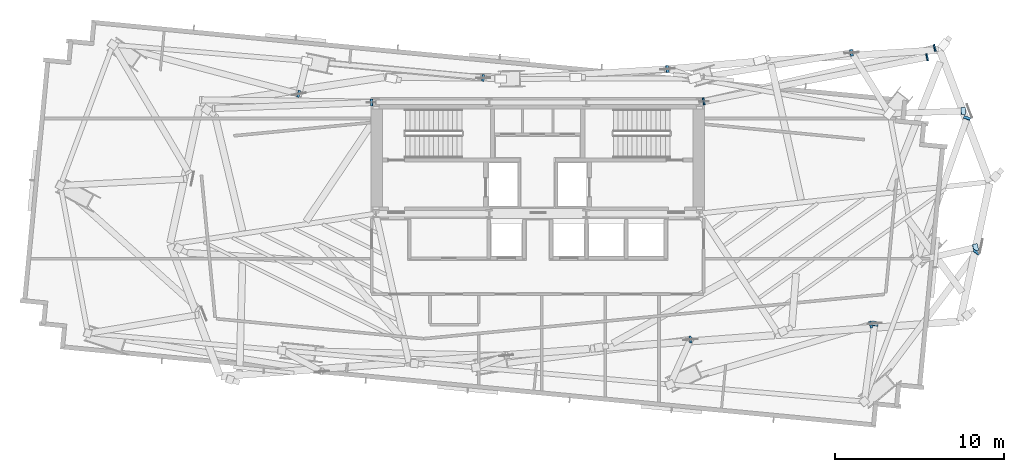
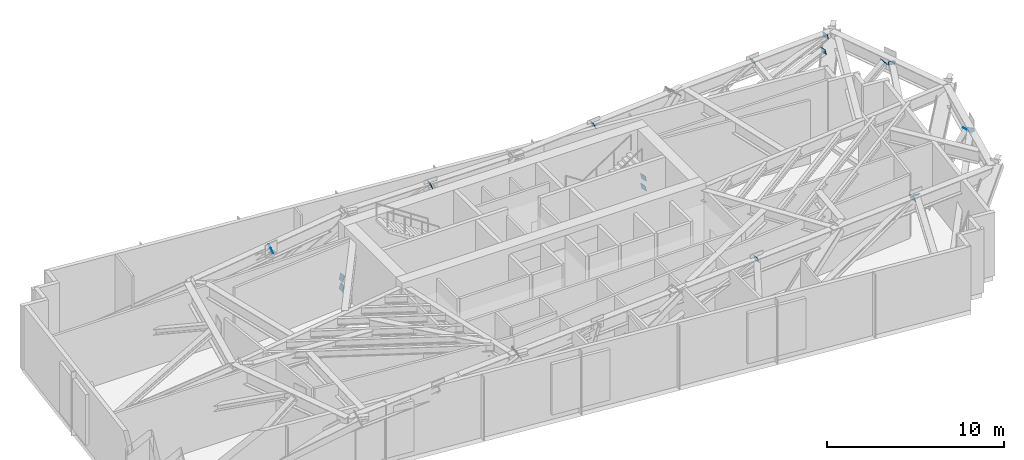
# One storey, part 5 of 10: 17 plates.
"""IFC4 building model written with IfcOpenShell, lengths in metres."""

from ifc_helpers import new_model, si_unit, direction, frame, origin, origin_2d, place, context, subcontext, project, spatial, rectangle, extrude, source, transform, mapped, material, layer, layer_set, type_object, type_shapes, element, save


model = new_model("IFC4")

# Units and contexts
model_context = context("Model", 3, precision=1e-05, world=origin(), true_north=direction((0.0, 1.0)))
body_context = subcontext(model_context, "Body", "Model", "MODEL_VIEW")
ifc_project = project(units=[si_unit("LENGTHUNIT", "METRE"), si_unit("AREAUNIT", "SQUARE_METRE"), si_unit("VOLUMEUNIT", "CUBIC_METRE"), si_unit("PLANEANGLEUNIT", "RADIAN"), si_unit("MASSUNIT", "GRAM", prefix="KILO")], contexts=[model_context])

# Site, building, storey
site_placement = place(None, origin())
site = spatial("IfcSite", under=ifc_project, at=site_placement, CompositionType="ELEMENT")
building_placement = place(site_placement, origin())
building = spatial("IfcBuilding", under=site, at=building_placement, Name="Astriad Promenade Condominiums", CompositionType="ELEMENT")
storey_placement = place(building_placement, frame((0.0, 0.0, 163.0)))
storey = spatial("IfcBuildingStorey", under=building, at=storey_placement, Name="L47", CompositionType="ELEMENT", Elevation=163.0)

# Plates
ifc_material = material(Name="Steel ASTM A572 Grade 50", Category="steel")
ifc_layer = layer(ifc_material, 0.02490234375)
ifc_layer_set = layer_set([ifc_layer], Name="Steel ASTM A572 Grade 50")
plate_type = type_object("IfcPlateType", Name="STEEL HOLLOW SECTION END CAP PLATE 30", PredefinedType="USERDEFINED", material=ifc_layer_set)
shared_shape_1 = source(origin(), body_context, "Body", "SweptSolid", [
    extrude(rectangle(XDim=0.41259765625, YDim=0.40771484375, at=origin_2d()), origin(), (0.0, 0.0, 1.0), 0.02490234375),
])
for number, where, z_axis, x_axis, name in (
    (1, (26.15625, 24.00341796875, 0.31494140625), (-0.955896229764, 0.013605583997, 0.293389307928), (-0.014231885869, -0.999898721584, 0.0), "Hollow Section End Cap Plate BRACE-OUT-L47-01A-A"),
    (2, (26.1572265625, 23.990966796875, 0.99755859375), (-0.952145211224, -0.036259092009, 0.303487685071), (0.038053889996, -0.999275688414, 0.0), "Hollow Section End Cap Plate BRACE-OUT-L47-01B-A"),
    (3, (45.843505859375, 24.048095703125, 0.2978515625), (0.955061591214, 0.189370143042, 0.228026985051), (-0.194494127275, 0.980903682558, 0.0), "Hollow Section End Cap Plate BRACE-OUT-L47-02A-A"),
    (4, (59.092529296875, 26.67529296875, 3.46142578125), (0.955061591214, 0.189370143042, 0.228026985051), (-0.194494127275, 0.980903682558, 0.0), "Hollow Section End Cap Plate BRACE-OUT-L47-02A-B"),
    (5, (45.8427734375, 24.05615234375, 0.97412109375), (0.952061964822, 0.220215320959, 0.21232811296), (-0.225353739937, 0.974277009837, 0.0), "Hollow Section End Cap Plate BRACE-OUT-L47-02B-A"),
    (6, (59.54296875, 27.22509765625, 4.029541015625), (0.952061964822, 0.220215320959, 0.21232811296), (-0.225353739937, 0.974277009837, 0.0), "Hollow Section End Cap Plate BRACE-OUT-L47-02B-B"),
):
    element("IfcPlate", number, at=place(storey_placement, frame(where, z_axis=z_axis, x_axis=x_axis)), inside=storey, type_object=plate_type, Name=name, ObjectType="STIFFENER_PLATE", PredefinedType="USERDEFINED", context=body_context, shape_type="MappedRepresentation", body=[
        mapped(shared_shape_1, transform((0.0, 0.0, 0.0), scale=1.0)),
    ])
shared_shape_2 = source(origin(), body_context, "Body", "SweptSolid", [
    extrude(rectangle(XDim=0.40869140625, YDim=0.39599609375, at=origin_2d()), origin(), (0.0, 0.0, 1.0), 0.02490234375),
])
type_shapes(plate_type, [shared_shape_1, shared_shape_2])
for number, where, z_axis, x_axis, name in (
    (7, (45.044677734375, 9.929931640625, 4.192626953125), (0.945494106538, 0.12286502794, 0.301571018853), (-0.128864479161, 0.991662213665, 0.0), "Hollow Section End Cap Plate BRACE-BELT-L47-03A-B"),
    (8, (55.7392578125, 10.8056640625, 4.114501953125), (0.912640440436, 0.271866879832, 0.305247155811), (-0.285492536029, 0.958380932548, 0.0), "Hollow Section End Cap Plate BRACE-BELT-L47-04A-B"),
    (9, (55.9921875, 10.86328125, 4.183837890625), (0.099752098973, 0.747782154801, 0.656407927825), (-0.991219596121, 0.132225989376, 0.0), "Hollow Section End Cap Plate BRACE-BELT-L47-04B-B"),
    (10, (21.810791015625, 24.505126953125, 4.191650390625), (0.910799710667, -0.240824738912, 0.335331674878), (0.255625415491, 0.966775903173, 0.0), "Hollow Section End Cap Plate BRACE-BELT-L47-05A-B"),
    (11, (32.74755859375, 25.454345703125, 4.191162109375), (0.928687894802, -0.088201599981, 0.360221142923), (0.094548961033, 0.995520212737, 0.0), "Hollow Section End Cap Plate BRACE-BELT-L47-06A-B"),
    (12, (43.673828125, 25.980712890625, 4.190673828125), (0.923562703951, 0.055856861997, 0.37935727598), (-0.060369463236, 0.99817610065, 0.0), "Hollow Section End Cap Plate BRACE-BELT-L47-07A-B"),
    (13, (54.60009765625, 26.9384765625, 4.190185546875), (0.906296917655, 0.148160984944, 0.395820943849), (-0.161337813891, 0.986899239947, 0.0), "Hollow Section End Cap Plate BRACE-BELT-L47-08A-B"),
    (14, (62.014892578125, 15.09130859375, 4.033935546875), (0.566496003022, 0.754070607029, 0.332354928013), (-0.79951979833, 0.600639735681, 0.0), "Hollow Section End Cap Plate BRACE-BELT-L47-11A-B"),
    (15, (61.960205078125, 15.390625, 3.839599609375), (0.675700011699, 0.155164367931, 0.720661857679), (-0.22380980584, 0.974632838976, 0.0), "Hollow Section End Cap Plate BRACE-BELT-L47-11B-B"),
    (16, (61.460205078125, 23.05712890625, 4.002197265625), (0.304051003091, 0.86666959226, 0.395520929119), (-0.943614808616, 0.331045454523, 0.0), "Hollow Section End Cap Plate BRACE-BELT-L47-12A-B"),
    (17, (61.232421875, 23.478271484375, 3.875244140625), (0.759795962963, 0.024126884999, 0.649713773969), (-0.031738428829, 0.999496209165, 0.0), "Hollow Section End Cap Plate BRACE-BELT-L47-12B-B"),
):
    element("IfcPlate", number, at=place(storey_placement, frame(where, z_axis=z_axis, x_axis=x_axis)), inside=storey, type_object=plate_type, Name=name, ObjectType="STIFFENER_PLATE", PredefinedType="USERDEFINED", context=body_context, shape_type="MappedRepresentation", body=[
        mapped(shared_shape_2, transform((0.0, 0.0, 0.0), scale=1.0)),
    ])

save(model, "model.ifc")
